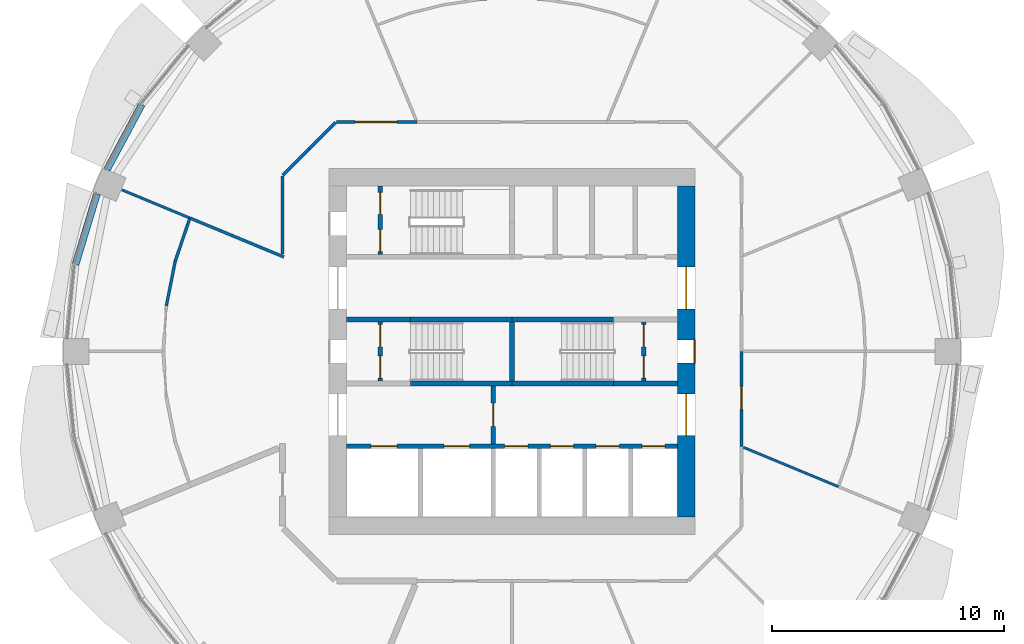
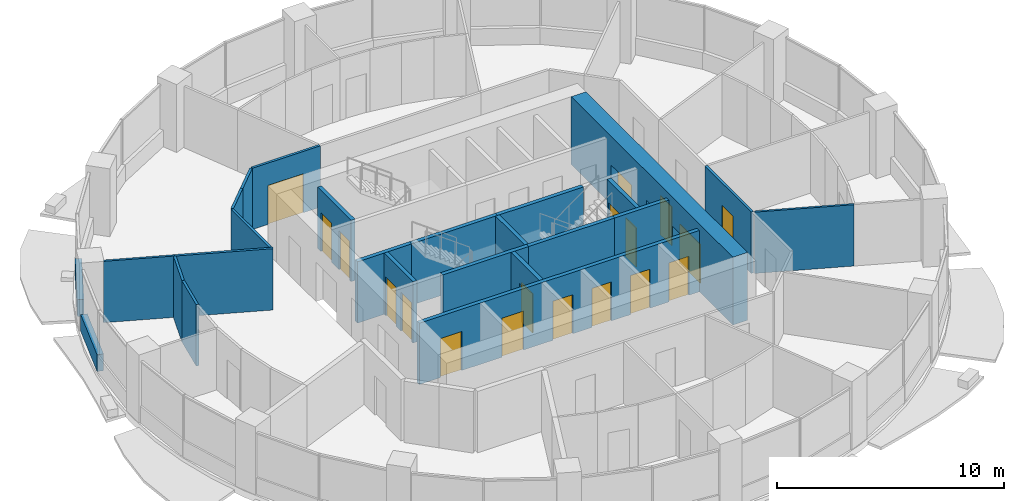
# One storey, part 9 of 15: 25 walls, 18 doors, 18 openings.
"""IFC4 building model written with IfcOpenShell, lengths in metres."""

from ifc_helpers import new_model, si_unit, direction, frame, frame_2d, origin, place, context, subcontext, project, spatial, rectangle, extrude, material, layer, layer_set, type_object, element, fill, save


model = new_model("IFC4")

# Units and contexts
model_context = context("Model", 3, precision=1e-05, world=origin(), true_north=direction((0.0, 1.0)))
body_context = subcontext(model_context, "Body", "Model", "MODEL_VIEW")
ifc_project = project(units=[si_unit("LENGTHUNIT", "METRE"), si_unit("AREAUNIT", "SQUARE_METRE"), si_unit("VOLUMEUNIT", "CUBIC_METRE"), si_unit("PLANEANGLEUNIT", "RADIAN"), si_unit("MASSUNIT", "GRAM", prefix="KILO")], contexts=[model_context])

# Site, building, storey
site_placement = place(None, origin())
site = spatial("IfcSite", under=ifc_project, at=site_placement, CompositionType="ELEMENT")
building_placement = place(site_placement, origin())
building = spatial("IfcBuilding", under=site, at=building_placement, Name="Polderwave Tower", CompositionType="ELEMENT")
storey_placement = place(building_placement, frame((0.0, 0.0, 87.35009765625)))
storey = spatial("IfcBuildingStorey", under=building, at=storey_placement, Name="L22", CompositionType="ELEMENT", Elevation=87.35009765625)

# Wall, openings, doors
ifc_material_1 = material(Name="Concrete C70/85", Category="concrete")
ifc_layer_1 = layer(ifc_material_1, 0.75)
ifc_layer_set_1 = layer_set([ifc_layer_1], Name="CORE WALL 750 C70/85")
wall_type_1 = type_object("IfcWallType", Name="CORE WALL 750 C70/85", PredefinedType="SHEAR", material=ifc_layer_set_1)
wall_1_placement = place(storey_placement, frame((7.4990234375, -7.1240234375, 0.0), z_axis=(0.0, 0.0, 1.0), x_axis=(0.0, 1.0, 0.0)))
wall_1 = element("IfcWall", 1, at=wall_1_placement, inside=storey, type_object=wall_type_1, Name="ST-CORE-L22-E", PredefinedType="SHEAR", context=body_context, shape_type="SweptSolid", body=[
    extrude(rectangle(XDim=14.248046875, YDim=0.75, at=frame_2d((7.1240234375, 0.0))), origin(), (0.0, 0.0, 1.0), 3.64990234375),
])
opening_1_placement = place(wall_1_placement, frame((6.6240234375, 0.0, 0.0)))
opening_1 = element("IfcOpeningElement", 2, at=opening_1_placement, cuts=wall_1, Name="Opening L22-D22", PredefinedType="OPENING", context=body_context, shape_type="SweptSolid", body=[
    extrude(rectangle(XDim=1.0, YDim=2.10009765625, at=frame_2d((0.5, 1.050048828125))), frame((0.0, 0.385009765625, 0.0), z_axis=(0.0, -1.0, 0.0), x_axis=(1.0, 0.0, 0.0)), (0.0, 0.0, 1.0), 0.77001953125),
])
opening_2_placement = place(wall_1_placement, frame((3.49951171875, 0.0, 0.0)))
opening_2 = element("IfcOpeningElement", 3, at=opening_2_placement, cuts=wall_1, Name="Opening L22-D23", PredefinedType="OPENING", context=body_context, shape_type="SweptSolid", body=[
    extrude(rectangle(XDim=1.800048828125, YDim=2.10009765625, at=frame_2d((0.89990234375, 1.050048828125))), frame((0.0, 0.385009765625, 0.0), z_axis=(0.0, -1.0, 0.0), x_axis=(1.0, 0.0, 0.0)), (0.0, 0.0, 1.0), 0.77001953125),
])
opening_3_placement = place(wall_1_placement, frame((8.948486328125, 0.0, 0.0)))
opening_3 = element("IfcOpeningElement", 4, at=opening_3_placement, cuts=wall_1, Name="Opening L22-D24", PredefinedType="OPENING", context=body_context, shape_type="SweptSolid", body=[
    extrude(rectangle(XDim=1.800048828125, YDim=2.10009765625, at=frame_2d((0.89990234375, 1.050048828125))), frame((0.0, 0.385009765625, 0.0), z_axis=(0.0, -1.0, 0.0), x_axis=(1.0, 0.0, 0.0)), (0.0, 0.0, 1.0), 0.77001953125),
])
ifc_material_2 = material(Name="Steel fire door", Category="steel")
door_type_1 = type_object("IfcDoorType", Name="Lobby entry door pair 1800", OperationType="DOUBLE_DOOR_SINGLE_SWING", PredefinedType="DOOR", material=ifc_material_2)
door_1_placement = place(opening_2_placement, frame((1.800048828125, 0.0, 0.0), z_axis=(0.0, 0.0, 1.0), x_axis=(-1.0, 0.0, 0.0)))
door_1 = element("IfcDoor", 5, at=door_1_placement, inside=storey, type_object=door_type_1, Name="South lobby entry door", OperationType="DOUBLE_DOOR_SINGLE_SWING", OverallHeight=2.10009765625, OverallWidth=1.800048828125, PredefinedType="DOOR", context=body_context, shape_type="SweptSolid", body=[
    extrude(rectangle(XDim=1.800048828125, YDim=2.10009765625, at=frame_2d((0.89990234375, 1.050048828125))), frame((0.0, 0.02490234375, 0.0), z_axis=(0.0, -1.0, 0.0), x_axis=(1.0, 0.0, 0.0)), (0.0, 0.0, 1.0), 0.050048828125),
])
fill(opening_2, door_1)
door_2_placement = place(opening_3_placement, frame((1.800048828125, 0.0, 0.0), z_axis=(0.0, 0.0, 1.0), x_axis=(-1.0, 0.0, 0.0)))
door_2 = element("IfcDoor", 6, at=door_2_placement, inside=storey, type_object=door_type_1, Name="North lobby entry door", OperationType="DOUBLE_DOOR_SINGLE_SWING", OverallHeight=2.10009765625, OverallWidth=1.800048828125, PredefinedType="DOOR", context=body_context, shape_type="SweptSolid", body=[
    extrude(rectangle(XDim=1.800048828125, YDim=2.10009765625, at=frame_2d((0.89990234375, 1.050048828125))), frame((0.0, 0.02490234375, 0.0), z_axis=(0.0, -1.0, 0.0), x_axis=(1.0, 0.0, 0.0)), (0.0, 0.0, 1.0), 0.050048828125),
])
fill(opening_3, door_2)
door_type_2 = type_object("IfcDoorType", Name="Stair door 1000", OperationType="NOTDEFINED", PredefinedType="DOOR", material=ifc_material_2)
door_3_placement = place(opening_1_placement, frame((1.0, 0.0, 0.0), z_axis=(0.0, 0.0, 1.0), x_axis=(-1.0, 0.0, 0.0)))
door_3 = element("IfcDoor", 7, at=door_3_placement, inside=storey, type_object=door_type_2, Name="Stair B entry door", OperationType="SINGLE_SWING_LEFT", OverallHeight=2.10009765625, OverallWidth=1.0, PredefinedType="DOOR", context=body_context, shape_type="SweptSolid", body=[
    extrude(rectangle(XDim=1.0, YDim=2.10009765625, at=frame_2d((0.5, 1.050048828125))), frame((0.0, 0.375, 0.0), z_axis=(0.0, -1.0, 0.0), x_axis=(1.0, 0.0, 0.0)), (0.0, 0.0, 1.0), 0.050048828125),
])
fill(opening_1, door_3)

# Walls
ifc_material_3 = material(Name="Concrete C50/60 (board-marked)", Category="concrete")
ifc_layer_2 = layer(ifc_material_3, 0.300048828125)
ifc_layer_set_2 = layer_set([ifc_layer_2], Name="Concrete spandrel upstand C50/60")
wall_type_2 = type_object("IfcWallType", Name="Concrete spandrel upstand C50/60", PredefinedType="SOLIDWALL", material=ifc_layer_set_2)
wall_2_placement = place(storey_placement, frame((-15.92919921875, 10.625732421875, 0.0), z_axis=(0.0, 0.0, 1.0), x_axis=(-0.471458802606, -0.88188808669, 0.0)))
element("IfcWall", 8, at=wall_2_placement, inside=storey, type_object=wall_type_2, Name="Spandrel L22 7b", PredefinedType="SOLIDWALL", context=body_context, shape_type="SweptSolid", body=[
    extrude(rectangle(XDim=3.17236328125, YDim=0.300048828125, at=frame_2d((1.586181640625, 0.0))), origin(), (0.0, 0.0, 1.0), 0.89990234375),
])
wall_3_placement = place(storey_placement, frame((-17.8564453125, 6.78662109375, 0.0), z_axis=(0.0, 0.0, 1.0), x_axis=(-0.290325591482, -0.956927923582, 0.0)))
element("IfcWall", 9, at=wall_3_placement, inside=storey, type_object=wall_type_2, Name="Spandrel L22 8a", PredefinedType="SOLIDWALL", context=body_context, shape_type="SweptSolid", body=[
    extrude(rectangle(XDim=3.1728515625, YDim=0.300048828125, at=frame_2d((1.58642578125, 0.0))), origin(), (0.0, 0.0, 1.0), 0.89990234375),
])

# Wall, opening, door
ifc_material_4 = material(Name="Gypsum board partition")
ifc_layer_3 = layer(ifc_material_4, 0.199951171875)
ifc_layer_set_3 = layer_set([ifc_layer_3], Name="Core room partition 200")
wall_type_3 = type_object("IfcWallType", Name="Core room partition 200", PredefinedType="PARTITIONING", material=ifc_layer_set_3)
wall_4_placement = place(storey_placement, frame((-0.800048828125, -3.97412109375, 0.0), z_axis=(0.0, 0.0, 1.0), x_axis=(0.0, 1.0, 0.0)))
wall_4 = element("IfcWall", 10, at=wall_4_placement, inside=storey, type_object=wall_type_3, Name="L22 fire-fighting lobby wall", PredefinedType="PARTITIONING", context=body_context, shape_type="SweptSolid", body=[
    extrude(rectangle(XDim=2.4990234375, YDim=0.199951171875, at=frame_2d((1.24951171875, 0.0))), origin(), (0.0, 0.0, 1.0), 3.2998046875),
])
opening_4_placement = place(wall_4_placement, frame((0.74951171875, 0.0, 0.0)))
opening_4 = element("IfcOpeningElement", 11, at=opening_4_placement, cuts=wall_4, Name="Opening L22-D13", PredefinedType="OPENING", context=body_context, shape_type="SweptSolid", body=[
    extrude(rectangle(XDim=1.0, YDim=2.10009765625, at=frame_2d((0.5, 1.050048828125))), frame((0.0, 0.10986328125, 0.0), z_axis=(0.0, -1.0, 0.0), x_axis=(1.0, 0.0, 0.0)), (0.0, 0.0, 1.0), 0.219970703125),
])
door_type_3 = type_object("IfcDoorType", Name="Lobby fire door 1000", OperationType="NOTDEFINED", PredefinedType="DOOR", material=ifc_material_2)
door_4_placement = place(opening_4_placement, frame((1.0, 0.0, 0.0), z_axis=(0.0, 0.0, 1.0), x_axis=(-1.0, 0.0, 0.0)))
door_4 = element("IfcDoor", 12, at=door_4_placement, inside=storey, type_object=door_type_3, Name="Fire-fighting lobby door", OperationType="SINGLE_SWING_LEFT", OverallHeight=2.10009765625, OverallWidth=1.0, PredefinedType="DOOR", context=body_context, shape_type="SweptSolid", body=[
    extrude(rectangle(XDim=1.0, YDim=2.10009765625, at=frame_2d((0.5, 1.050048828125))), frame((0.0, 0.02490234375, 0.0), z_axis=(0.0, -1.0, 0.0), x_axis=(1.0, 0.0, 0.0)), (0.0, 0.0, 1.0), 0.050048828125),
])
fill(opening_4, door_4)

# Wall, openings, doors
wall_5_placement = place(storey_placement, frame((-5.674072265625, -1.27490234375, 0.0), z_axis=(0.0, 0.0, 1.0), x_axis=(0.0, 1.0, 0.0)))
wall_5 = element("IfcWall", 13, at=wall_5_placement, inside=storey, type_object=wall_type_3, Name="L22 smoke lobby wall A", PredefinedType="PARTITIONING", context=body_context, shape_type="SweptSolid", body=[
    extrude(rectangle(XDim=2.5498046875, YDim=0.199951171875, at=frame_2d((1.27490234375, 0.0))), origin(), (0.0, 0.0, 1.0), 3.2998046875),
])
opening_5_placement = place(wall_5_placement, frame((0.125, 0.0, 0.0)))
opening_5 = element("IfcOpeningElement", 14, at=opening_5_placement, cuts=wall_5, Name="Opening L22-D07", PredefinedType="OPENING", context=body_context, shape_type="SweptSolid", body=[
    extrude(rectangle(XDim=0.949951171875, YDim=2.10009765625, at=frame_2d((0.47509765625, 1.050048828125))), frame((0.0, 0.10986328125, 0.0), z_axis=(0.0, -1.0, 0.0), x_axis=(1.0, 0.0, 0.0)), (0.0, 0.0, 1.0), 0.219970703125),
])
opening_6_placement = place(wall_5_placement, frame((1.47509765625, 0.0, 0.0)))
opening_6 = element("IfcOpeningElement", 15, at=opening_6_placement, cuts=wall_5, Name="Opening L22-D08", PredefinedType="OPENING", context=body_context, shape_type="SweptSolid", body=[
    extrude(rectangle(XDim=0.949951171875, YDim=2.10009765625, at=frame_2d((0.47509765625, 1.050048828125))), frame((0.0, 0.10986328125, 0.0), z_axis=(0.0, -1.0, 0.0), x_axis=(1.0, 0.0, 0.0)), (0.0, 0.0, 1.0), 0.219970703125),
])
door_type_4 = type_object("IfcDoorType", Name="Smoke lobby door 950", OperationType="NOTDEFINED", PredefinedType="DOOR", material=ifc_material_2)
door_5_placement = place(opening_5_placement, origin())
door_5 = element("IfcDoor", 16, at=door_5_placement, inside=storey, type_object=door_type_4, Name="Stair A smoke lobby inner door", OperationType="SINGLE_SWING_LEFT", OverallHeight=2.10009765625, OverallWidth=0.949951171875, PredefinedType="DOOR", context=body_context, shape_type="SweptSolid", body=[
    extrude(rectangle(XDim=0.949951171875, YDim=2.10009765625, at=frame_2d((0.47509765625, 1.050048828125))), frame((0.0, 0.02490234375, 0.0), z_axis=(0.0, -1.0, 0.0), x_axis=(1.0, 0.0, 0.0)), (0.0, 0.0, 1.0), 0.050048828125),
])
fill(opening_5, door_5)
door_6_placement = place(opening_6_placement, origin())
door_6 = element("IfcDoor", 17, at=door_6_placement, inside=storey, type_object=door_type_4, Name="Stair A smoke lobby inner door", OperationType="SINGLE_SWING_RIGHT", OverallHeight=2.10009765625, OverallWidth=0.949951171875, PredefinedType="DOOR", context=body_context, shape_type="SweptSolid", body=[
    extrude(rectangle(XDim=0.949951171875, YDim=2.10009765625, at=frame_2d((0.47509765625, 1.050048828125))), frame((0.0, 0.02490234375, 0.0), z_axis=(0.0, -1.0, 0.0), x_axis=(1.0, 0.0, 0.0)), (0.0, 0.0, 1.0), 0.050048828125),
])
fill(opening_6, door_6)

wall_6_placement = place(storey_placement, frame((5.674072265625, -1.27490234375, 0.0), z_axis=(0.0, 0.0, 1.0), x_axis=(0.0, 1.0, 0.0)))
wall_6 = element("IfcWall", 18, at=wall_6_placement, inside=storey, type_object=wall_type_3, Name="L22 smoke lobby wall B", PredefinedType="PARTITIONING", context=body_context, shape_type="SweptSolid", body=[
    extrude(rectangle(XDim=2.5498046875, YDim=0.199951171875, at=frame_2d((1.27490234375, 0.0))), origin(), (0.0, 0.0, 1.0), 3.2998046875),
])
opening_7_placement = place(wall_6_placement, frame((0.125, 0.0, 0.0)))
opening_7 = element("IfcOpeningElement", 19, at=opening_7_placement, cuts=wall_6, Name="Opening L22-D09", PredefinedType="OPENING", context=body_context, shape_type="SweptSolid", body=[
    extrude(rectangle(XDim=0.949951171875, YDim=2.10009765625, at=frame_2d((0.47509765625, 1.050048828125))), frame((0.0, 0.10986328125, 0.0), z_axis=(0.0, -1.0, 0.0), x_axis=(1.0, 0.0, 0.0)), (0.0, 0.0, 1.0), 0.219970703125),
])
opening_8_placement = place(wall_6_placement, frame((1.47509765625, 0.0, 0.0)))
opening_8 = element("IfcOpeningElement", 20, at=opening_8_placement, cuts=wall_6, Name="Opening L22-D10", PredefinedType="OPENING", context=body_context, shape_type="SweptSolid", body=[
    extrude(rectangle(XDim=0.949951171875, YDim=2.10009765625, at=frame_2d((0.47509765625, 1.050048828125))), frame((0.0, 0.10986328125, 0.0), z_axis=(0.0, -1.0, 0.0), x_axis=(1.0, 0.0, 0.0)), (0.0, 0.0, 1.0), 0.219970703125),
])
door_7_placement = place(opening_7_placement, frame((0.949951171875, 0.0, 0.0), z_axis=(0.0, 0.0, 1.0), x_axis=(-1.0, 0.0, 0.0)))
door_7 = element("IfcDoor", 21, at=door_7_placement, inside=storey, type_object=door_type_4, Name="Stair B smoke lobby inner door", OperationType="SINGLE_SWING_RIGHT", OverallHeight=2.10009765625, OverallWidth=0.949951171875, PredefinedType="DOOR", context=body_context, shape_type="SweptSolid", body=[
    extrude(rectangle(XDim=0.949951171875, YDim=2.10009765625, at=frame_2d((0.47509765625, 1.050048828125))), frame((0.0, 0.02490234375, 0.0), z_axis=(0.0, -1.0, 0.0), x_axis=(1.0, 0.0, 0.0)), (0.0, 0.0, 1.0), 0.050048828125),
])
fill(opening_7, door_7)
door_8_placement = place(opening_8_placement, frame((0.949951171875, 0.0, 0.0), z_axis=(0.0, 0.0, 1.0), x_axis=(-1.0, 0.0, 0.0)))
door_8 = element("IfcDoor", 22, at=door_8_placement, inside=storey, type_object=door_type_4, Name="Stair B smoke lobby inner door", OperationType="SINGLE_SWING_LEFT", OverallHeight=2.10009765625, OverallWidth=0.949951171875, PredefinedType="DOOR", context=body_context, shape_type="SweptSolid", body=[
    extrude(rectangle(XDim=0.949951171875, YDim=2.10009765625, at=frame_2d((0.47509765625, 1.050048828125))), frame((0.0, 0.02490234375, 0.0), z_axis=(0.0, -1.0, 0.0), x_axis=(1.0, 0.0, 0.0)), (0.0, 0.0, 1.0), 0.050048828125),
])
fill(opening_8, door_8)

wall_7_placement = place(storey_placement, frame((-5.674072265625, 4.174072265625, 0.0), z_axis=(0.0, 0.0, 1.0), x_axis=(0.0, 1.0, 0.0)))
wall_7 = element("IfcWall", 23, at=wall_7_placement, inside=storey, type_object=wall_type_3, Name="L22 smoke lobby wall C", PredefinedType="PARTITIONING", context=body_context, shape_type="SweptSolid", body=[
    extrude(rectangle(XDim=2.949951171875, YDim=0.199951171875, at=frame_2d((1.47509765625, 0.0))), origin(), (0.0, 0.0, 1.0), 3.2998046875),
])
opening_9_placement = place(wall_7_placement, frame((0.125, 0.0, 0.0)))
opening_9 = element("IfcOpeningElement", 24, at=opening_9_placement, cuts=wall_7, Name="Opening L22-D11", PredefinedType="OPENING", context=body_context, shape_type="SweptSolid", body=[
    extrude(rectangle(XDim=0.949951171875, YDim=2.10009765625, at=frame_2d((0.47509765625, 1.050048828125))), frame((0.0, 0.10986328125, 0.0), z_axis=(0.0, -1.0, 0.0), x_axis=(1.0, 0.0, 0.0)), (0.0, 0.0, 1.0), 0.219970703125),
])
opening_10_placement = place(wall_7_placement, frame((1.72509765625, 0.0, 0.0)))
opening_10 = element("IfcOpeningElement", 25, at=opening_10_placement, cuts=wall_7, Name="Opening L22-D12", PredefinedType="OPENING", context=body_context, shape_type="SweptSolid", body=[
    extrude(rectangle(XDim=0.949951171875, YDim=2.10009765625, at=frame_2d((0.47509765625, 1.050048828125))), frame((0.0, 0.10986328125, 0.0), z_axis=(0.0, -1.0, 0.0), x_axis=(1.0, 0.0, 0.0)), (0.0, 0.0, 1.0), 0.219970703125),
])
door_9_placement = place(opening_9_placement, origin())
door_9 = element("IfcDoor", 26, at=door_9_placement, inside=storey, type_object=door_type_4, Name="Stair C smoke lobby inner door", OperationType="SINGLE_SWING_LEFT", OverallHeight=2.10009765625, OverallWidth=0.949951171875, PredefinedType="DOOR", context=body_context, shape_type="SweptSolid", body=[
    extrude(rectangle(XDim=0.949951171875, YDim=2.10009765625, at=frame_2d((0.47509765625, 1.050048828125))), frame((0.0, 0.02490234375, 0.0), z_axis=(0.0, -1.0, 0.0), x_axis=(1.0, 0.0, 0.0)), (0.0, 0.0, 1.0), 0.050048828125),
])
fill(opening_9, door_9)
door_10_placement = place(opening_10_placement, origin())
door_10 = element("IfcDoor", 27, at=door_10_placement, inside=storey, type_object=door_type_4, Name="Stair C smoke lobby inner door", OperationType="SINGLE_SWING_RIGHT", OverallHeight=2.10009765625, OverallWidth=0.949951171875, PredefinedType="DOOR", context=body_context, shape_type="SweptSolid", body=[
    extrude(rectangle(XDim=0.949951171875, YDim=2.10009765625, at=frame_2d((0.47509765625, 1.050048828125))), frame((0.0, 0.02490234375, 0.0), z_axis=(0.0, -1.0, 0.0), x_axis=(1.0, 0.0, 0.0)), (0.0, 0.0, 1.0), 0.050048828125),
])
fill(opening_10, door_10)

ifc_material_5 = material(Name="Concrete C50/60", Category="concrete")
ifc_layer_4 = layer(ifc_material_5, 0.199951171875)
ifc_layer_set_4 = layer_set([ifc_layer_4], Name="Core web wall 200")
wall_type_4 = type_object("IfcWallType", Name="Core web wall 200", PredefinedType="SHEAR", material=ifc_layer_set_4)
wall_8_placement = place(storey_placement, frame((-7.1240234375, -4.073974609375, 0.0), z_axis=(0.0, 0.0, 1.0), x_axis=(1.0, 0.0, 0.0)))
wall_8 = element("IfcWall", 28, at=wall_8_placement, inside=storey, type_object=wall_type_4, Name="L22 south front wall", PredefinedType="SHEAR", context=body_context, shape_type="SweptSolid", body=[
    extrude(rectangle(XDim=14.248046875, YDim=0.199951171875, at=frame_2d((7.1240234375, 0.0))), origin(), (0.0, 0.0, 1.0), 3.2998046875),
])
opening_11_placement = place(wall_8_placement, frame((1.068603515625, 0.0, 0.0)))
opening_11 = element("IfcOpeningElement", 29, at=opening_11_placement, cuts=wall_8, Name="Opening L22-D01", PredefinedType="OPENING", context=body_context, shape_type="SweptSolid", body=[
    extrude(rectangle(XDim=1.10009765625, YDim=2.10009765625, at=frame_2d((0.550048828125, 1.050048828125))), frame((0.0, 0.10986328125, 0.0), z_axis=(0.0, -1.0, 0.0), x_axis=(1.0, 0.0, 0.0)), (0.0, 0.0, 1.0), 0.219970703125),
])
opening_12_placement = place(wall_8_placement, frame((4.20556640625, 0.0, 0.0)))
opening_12 = element("IfcOpeningElement", 30, at=opening_12_placement, cuts=wall_8, Name="Opening L22-D02", PredefinedType="OPENING", context=body_context, shape_type="SweptSolid", body=[
    extrude(rectangle(XDim=1.10009765625, YDim=2.10009765625, at=frame_2d((0.550048828125, 1.050048828125))), frame((0.0, 0.10986328125, 0.0), z_axis=(0.0, -1.0, 0.0), x_axis=(1.0, 0.0, 0.0)), (0.0, 0.0, 1.0), 0.219970703125),
])
opening_13_placement = place(wall_8_placement, frame((6.80810546875, 0.0, 0.0)))
opening_13 = element("IfcOpeningElement", 31, at=opening_13_placement, cuts=wall_8, Name="Opening L22-D03", PredefinedType="OPENING", context=body_context, shape_type="SweptSolid", body=[
    extrude(rectangle(XDim=1.0, YDim=2.10009765625, at=frame_2d((0.5, 1.050048828125))), frame((0.0, 0.10986328125, 0.0), z_axis=(0.0, -1.0, 0.0), x_axis=(1.0, 0.0, 0.0)), (0.0, 0.0, 1.0), 0.219970703125),
])
opening_14_placement = place(wall_8_placement, frame((8.776611328125, 0.0, 0.0)))
opening_14 = element("IfcOpeningElement", 32, at=opening_14_placement, cuts=wall_8, Name="Opening L22-D04", PredefinedType="OPENING", context=body_context, shape_type="SweptSolid", body=[
    extrude(rectangle(XDim=1.0, YDim=2.10009765625, at=frame_2d((0.5, 1.050048828125))), frame((0.0, 0.10986328125, 0.0), z_axis=(0.0, -1.0, 0.0), x_axis=(1.0, 0.0, 0.0)), (0.0, 0.0, 1.0), 0.219970703125),
])
opening_15_placement = place(wall_8_placement, frame((10.7451171875, 0.0, 0.0)))
opening_15 = element("IfcOpeningElement", 33, at=opening_15_placement, cuts=wall_8, Name="Opening L22-D05", PredefinedType="OPENING", context=body_context, shape_type="SweptSolid", body=[
    extrude(rectangle(XDim=1.0, YDim=2.10009765625, at=frame_2d((0.5, 1.050048828125))), frame((0.0, 0.10986328125, 0.0), z_axis=(0.0, -1.0, 0.0), x_axis=(1.0, 0.0, 0.0)), (0.0, 0.0, 1.0), 0.219970703125),
])
opening_16_placement = place(wall_8_placement, frame((12.7138671875, 0.0, 0.0)))
opening_16 = element("IfcOpeningElement", 34, at=opening_16_placement, cuts=wall_8, Name="Opening L22-D06", PredefinedType="OPENING", context=body_context, shape_type="SweptSolid", body=[
    extrude(rectangle(XDim=1.0, YDim=2.10009765625, at=frame_2d((0.5, 1.050048828125))), frame((0.0, 0.10986328125, 0.0), z_axis=(0.0, -1.0, 0.0), x_axis=(1.0, 0.0, 0.0)), (0.0, 0.0, 1.0), 0.219970703125),
])
ifc_material_6 = material(Name="Stainless steel", Category="steel")
door_type_5 = type_object("IfcDoorType", Name="Fire-fighting lift landing door 1100", OperationType="DOUBLE_DOOR_SLIDING", PredefinedType="DOOR", material=ifc_material_6)
door_11_placement = place(opening_11_placement, origin())
door_11 = element("IfcDoor", 35, at=door_11_placement, inside=storey, type_object=door_type_5, Name="Fire-fighting lift FF1 landing door", OperationType="DOUBLE_DOOR_SLIDING", OverallHeight=2.10009765625, OverallWidth=1.10009765625, PredefinedType="DOOR", context=body_context, shape_type="SweptSolid", body=[
    extrude(rectangle(XDim=1.10009765625, YDim=2.10009765625, at=frame_2d((0.550048828125, 1.050048828125))), frame((0.0, 0.02490234375, 0.0), z_axis=(0.0, -1.0, 0.0), x_axis=(1.0, 0.0, 0.0)), (0.0, 0.0, 1.0), 0.050048828125),
])
fill(opening_11, door_11)
door_12_placement = place(opening_12_placement, origin())
door_12 = element("IfcDoor", 36, at=door_12_placement, inside=storey, type_object=door_type_5, Name="Fire-fighting lift FF2 landing door", OperationType="DOUBLE_DOOR_SLIDING", OverallHeight=2.10009765625, OverallWidth=1.10009765625, PredefinedType="DOOR", context=body_context, shape_type="SweptSolid", body=[
    extrude(rectangle(XDim=1.10009765625, YDim=2.10009765625, at=frame_2d((0.550048828125, 1.050048828125))), frame((0.0, 0.02490234375, 0.0), z_axis=(0.0, -1.0, 0.0), x_axis=(1.0, 0.0, 0.0)), (0.0, 0.0, 1.0), 0.050048828125),
])
fill(opening_12, door_12)
door_type_6 = type_object("IfcDoorType", Name="Lift landing door 1000", OperationType="DOUBLE_DOOR_SLIDING", PredefinedType="DOOR", material=ifc_material_6)
door_13_placement = place(opening_13_placement, origin())
door_13 = element("IfcDoor", 37, at=door_13_placement, inside=storey, type_object=door_type_6, Name="Lift LL1 landing door", OperationType="DOUBLE_DOOR_SLIDING", OverallHeight=2.10009765625, OverallWidth=1.0, PredefinedType="DOOR", context=body_context, shape_type="SweptSolid", body=[
    extrude(rectangle(XDim=1.0, YDim=2.10009765625, at=frame_2d((0.5, 1.050048828125))), frame((0.0, 0.02490234375, 0.0), z_axis=(0.0, -1.0, 0.0), x_axis=(1.0, 0.0, 0.0)), (0.0, 0.0, 1.0), 0.050048828125),
])
fill(opening_13, door_13)
door_14_placement = place(opening_14_placement, origin())
door_14 = element("IfcDoor", 38, at=door_14_placement, inside=storey, type_object=door_type_6, Name="Lift LL2 landing door", OperationType="DOUBLE_DOOR_SLIDING", OverallHeight=2.10009765625, OverallWidth=1.0, PredefinedType="DOOR", context=body_context, shape_type="SweptSolid", body=[
    extrude(rectangle(XDim=1.0, YDim=2.10009765625, at=frame_2d((0.5, 1.050048828125))), frame((0.0, 0.02490234375, 0.0), z_axis=(0.0, -1.0, 0.0), x_axis=(1.0, 0.0, 0.0)), (0.0, 0.0, 1.0), 0.050048828125),
])
fill(opening_14, door_14)
door_15_placement = place(opening_15_placement, origin())
door_15 = element("IfcDoor", 39, at=door_15_placement, inside=storey, type_object=door_type_6, Name="Lift LL3 landing door", OperationType="DOUBLE_DOOR_SLIDING", OverallHeight=2.10009765625, OverallWidth=1.0, PredefinedType="DOOR", context=body_context, shape_type="SweptSolid", body=[
    extrude(rectangle(XDim=1.0, YDim=2.10009765625, at=frame_2d((0.5, 1.050048828125))), frame((0.0, 0.02490234375, 0.0), z_axis=(0.0, -1.0, 0.0), x_axis=(1.0, 0.0, 0.0)), (0.0, 0.0, 1.0), 0.050048828125),
])
fill(opening_15, door_15)
door_16_placement = place(opening_16_placement, origin())
door_16 = element("IfcDoor", 40, at=door_16_placement, inside=storey, type_object=door_type_6, Name="Lift LL4 landing door", OperationType="DOUBLE_DOOR_SLIDING", OverallHeight=2.10009765625, OverallWidth=1.0, PredefinedType="DOOR", context=body_context, shape_type="SweptSolid", body=[
    extrude(rectangle(XDim=1.0, YDim=2.10009765625, at=frame_2d((0.5, 1.050048828125))), frame((0.0, 0.02490234375, 0.0), z_axis=(0.0, -1.0, 0.0), x_axis=(1.0, 0.0, 0.0)), (0.0, 0.0, 1.0), 0.050048828125),
])
fill(opening_16, door_16)

# Walls
for number, where, z_axis, x_axis, name in (
    (41, (-4.3740234375, -1.375, 0.0), (0.0, 0.0, 1.0), (1.0, 0.0, 0.0), "L22 south stair wall 2"),
    (42, (0.0, -1.375, 0.0), (0.0, 0.0, 1.0), (1.0, 0.0, 0.0), "L22 south stair wall 3"),
):
    element("IfcWall", number, at=place(storey_placement, frame(where, z_axis=z_axis, x_axis=x_axis)), inside=storey, type_object=wall_type_4, Name=name, PredefinedType="SHEAR", context=body_context, shape_type="SweptSolid", body=[
        extrude(rectangle(XDim=4.3740234375, YDim=0.199951171875, at=frame_2d((2.18701171875, 0.0))), origin(), (0.0, 0.0, 1.0), 3.2998046875),
    ])
for number, where, z_axis, x_axis, name in (
    (43, (4.3740234375, -1.375, 0.0), (0.0, 0.0, 1.0), (1.0, 0.0, 0.0), "L22 south stair wall 4"),
    (44, (-7.1240234375, 1.375, 0.0), (0.0, 0.0, 1.0), (1.0, 0.0, 0.0), "L22 north stair wall 1"),
):
    element("IfcWall", number, at=place(storey_placement, frame(where, z_axis=z_axis, x_axis=x_axis)), inside=storey, type_object=wall_type_4, Name=name, PredefinedType="SHEAR", context=body_context, shape_type="SweptSolid", body=[
        extrude(rectangle(XDim=2.75, YDim=0.199951171875, at=frame_2d((1.375, 0.0))), origin(), (0.0, 0.0, 1.0), 3.2998046875),
    ])
for number, where, z_axis, x_axis, name in (
    (45, (-4.3740234375, 1.375, 0.0), (0.0, 0.0, 1.0), (1.0, 0.0, 0.0), "L22 north stair wall 2"),
    (46, (0.0, 1.375, 0.0), (0.0, 0.0, 1.0), (1.0, 0.0, 0.0), "L22 north stair wall 3"),
):
    element("IfcWall", number, at=place(storey_placement, frame(where, z_axis=z_axis, x_axis=x_axis)), inside=storey, type_object=wall_type_4, Name=name, PredefinedType="SHEAR", context=body_context, shape_type="SweptSolid", body=[
        extrude(rectangle(XDim=4.3740234375, YDim=0.199951171875, at=frame_2d((2.18701171875, 0.0))), origin(), (0.0, 0.0, 1.0), 3.2998046875),
    ])
wall_9_placement = place(storey_placement, frame((0.0, -1.27490234375, 0.0), z_axis=(0.0, 0.0, 1.0), x_axis=(0.0, 1.0, 0.0)))
element("IfcWall", 47, at=wall_9_placement, inside=storey, type_object=wall_type_4, Name="L22 wall between the stairs", PredefinedType="SHEAR", context=body_context, shape_type="SweptSolid", body=[
    extrude(rectangle(XDim=2.5498046875, YDim=0.199951171875, at=frame_2d((1.27490234375, 0.0))), origin(), (0.0, 0.0, 1.0), 3.2998046875),
])

# Wall, opening, door
ifc_material_7 = material(Name="Fire-resisting board on steel studs", Category="steel")
ifc_layer_5 = layer(ifc_material_7, 0.125)
ifc_layer_set_5 = layer_set([ifc_layer_5], Name="Corridor wall 125 mm EI 60")
wall_type_5 = type_object("IfcWallType", Name="Corridor wall 125 mm EI 60", PredefinedType="PARTITIONING", material=ifc_layer_set_5)
wall_10_placement = place(storey_placement, frame((9.8740234375, 0.0, 0.0), z_axis=(0.0, 0.0, 1.0), x_axis=(0.0, -1.0, 0.0)))
wall_10 = element("IfcWall", 48, at=wall_10_placement, inside=storey, type_object=wall_type_5, Name="IN-L22-W006", PredefinedType="PARTITIONING", context=body_context, shape_type="SweptSolid", body=[
    extrude(rectangle(XDim=4.08984375, YDim=0.125, at=frame_2d((2.044921875, 0.0))), origin(), (0.0, 0.0, 1.0), 3.2998046875),
])
opening_17_placement = place(wall_10_placement, frame((1.5, 0.0, 0.0)))
opening_17 = element("IfcOpeningElement", 49, at=opening_17_placement, cuts=wall_10, Name="Opening L22-D53", PredefinedType="OPENING", context=body_context, shape_type="SweptSolid", body=[
    extrude(rectangle(XDim=1.0, YDim=2.10009765625, at=frame_2d((0.5, 1.050048828125))), frame((0.0, 0.072509765625, 0.0), z_axis=(0.0, -1.0, 0.0), x_axis=(1.0, 0.0, 0.0)), (0.0, 0.0, 1.0), 0.14501953125),
])
ifc_material_8 = material(Name="Timber fire door leaf", Category="wood")
door_type_7 = type_object("IfcDoorType", Name="Fire door FD30S 1000 x 2100", OperationType="NOTDEFINED", PredefinedType="DOOR", material=ifc_material_8)
door_17_placement = place(opening_17_placement, origin())
door_17 = element("IfcDoor", 50, at=door_17_placement, inside=storey, type_object=door_type_7, Name="Door L22-D53", OperationType="SINGLE_SWING_LEFT", OverallHeight=2.10009765625, OverallWidth=1.0, PredefinedType="DOOR", context=body_context, shape_type="SweptSolid", body=[
    extrude(rectangle(XDim=1.0, YDim=2.10009765625, at=frame_2d((0.5, 1.050048828125))), frame((0.0, 0.02490234375, 0.0), z_axis=(0.0, -1.0, 0.0), x_axis=(1.0, 0.0, 0.0)), (0.0, 0.0, 1.0), 0.050048828125),
])
fill(opening_17, door_17)

# Wall
wall_11_placement = place(storey_placement, frame((-8.722412109375, 8.722412109375, 0.0), z_axis=(0.0, 0.0, 1.0), x_axis=(0.707030604857, 0.70718294931, 0.0)))
element("IfcWall", 51, at=wall_11_placement, inside=storey, type_object=wall_type_5, Name="IN-L22-W010", PredefinedType="PARTITIONING", context=body_context, shape_type="SweptSolid", body=[
    extrude(rectangle(XDim=1.6025390625, YDim=0.125, at=frame_2d((0.80126953125, 0.0))), origin(), (0.0, 0.0, 1.0), 3.2998046875),
])

# Wall, opening, door
wall_12_placement = place(storey_placement, frame((-7.545166015625, 9.8740234375, 0.0), z_axis=(0.0, 0.0, 1.0), x_axis=(1.0, 0.0, 0.0)))
wall_12 = element("IfcWall", 52, at=wall_12_placement, inside=storey, type_object=wall_type_5, Name="IN-L22-W011", PredefinedType="PARTITIONING", context=body_context, shape_type="SweptSolid", body=[
    extrude(rectangle(XDim=3.455322265625, YDim=0.125, at=frame_2d((1.7275390625, 0.0))), origin(), (0.0, 0.0, 1.0), 3.2998046875),
])
opening_18_placement = place(wall_12_placement, frame((0.800048828125, 0.0, 0.0)))
opening_18 = element("IfcOpeningElement", 53, at=opening_18_placement, cuts=wall_12, Name="Opening L22-D56", PredefinedType="OPENING", context=body_context, shape_type="SweptSolid", body=[
    extrude(rectangle(XDim=1.800048828125, YDim=2.10009765625, at=frame_2d((0.89990234375, 1.050048828125))), frame((0.0, 0.072509765625, 0.0), z_axis=(0.0, -1.0, 0.0), x_axis=(1.0, 0.0, 0.0)), (0.0, 0.0, 1.0), 0.14501953125),
])
ifc_material_9 = material(Name="Timber fire door leaves", Category="wood")
door_type_8 = type_object("IfcDoorType", Name="Double fire door FD30S 1800 x 2100", OperationType="NOTDEFINED", PredefinedType="DOOR", material=ifc_material_9)
door_18_placement = place(opening_18_placement, origin())
door_18 = element("IfcDoor", 54, at=door_18_placement, inside=storey, type_object=door_type_8, Name="Door L22-D56", OperationType="DOUBLE_DOOR_SINGLE_SWING", OverallHeight=2.10009765625, OverallWidth=1.800048828125, PredefinedType="DOOR", context=body_context, shape_type="SweptSolid", body=[
    extrude(rectangle(XDim=1.800048828125, YDim=2.10009765625, at=frame_2d((0.89990234375, 1.050048828125))), frame((0.0, 0.02490234375, 0.0), z_axis=(0.0, -1.0, 0.0), x_axis=(1.0, 0.0, 0.0)), (0.0, 0.0, 1.0), 0.050048828125),
])
fill(opening_18, door_18)

# Walls
wall_13_placement = place(storey_placement, frame((-9.8740234375, 4.183349609375, 0.0), z_axis=(0.0, 0.0, 1.0), x_axis=(0.0, 1.0, 0.0)))
element("IfcWall", 55, at=wall_13_placement, inside=storey, type_object=wall_type_5, Name="IN-L22-W012", PredefinedType="PARTITIONING", context=body_context, shape_type="SweptSolid", body=[
    extrude(rectangle(XDim=3.36181640625, YDim=0.125, at=frame_2d((1.680908203125, 0.0))), origin(), (0.0, 0.0, 1.0), 3.2998046875),
])
wall_14_placement = place(storey_placement, frame((-9.855712890625, 7.58935546875, 0.0), z_axis=(0.0, 0.0, 1.0), x_axis=(0.70718294931, 0.707030604857, 0.0)))
element("IfcWall", 56, at=wall_14_placement, inside=storey, type_object=wall_type_5, Name="IN-L22-W013", PredefinedType="PARTITIONING", context=body_context, shape_type="SweptSolid", body=[
    extrude(rectangle(XDim=1.6025390625, YDim=0.125, at=frame_2d((0.80126953125, 0.0))), origin(), (0.0, 0.0, 1.0), 3.2998046875),
])
wall_15_placement = place(storey_placement, frame((-9.81640625, 4.06591796875, 0.0), z_axis=(0.0, 0.0, 1.0), x_axis=(-0.923865829688, 0.382716512232, 0.0)))
element("IfcWall", 57, at=wall_15_placement, inside=storey, type_object=wall_type_5, Name="IN-L22-W044", PredefinedType="PARTITIONING", context=body_context, shape_type="SweptSolid", body=[
    extrude(rectangle(XDim=4.374755859375, YDim=0.125, at=frame_2d((2.1875, 0.0))), origin(), (0.0, 0.0, 1.0), 3.2998046875),
])
wall_16_placement = place(storey_placement, frame((-14.870849609375, 1.9619140625, 0.0), z_axis=(0.0, 0.0, 1.0), x_axis=(0.195034785279, 0.980796325713, 0.0)))
element("IfcWall", 58, at=wall_16_placement, inside=storey, type_object=wall_type_5, Name="IN-L22-W047", PredefinedType="PARTITIONING", context=body_context, shape_type="SweptSolid", body=[
    extrude(rectangle(XDim=1.9541015625, YDim=0.125, at=frame_2d((0.97705078125, 0.0))), origin(), (0.0, 0.0, 1.0), 3.2998046875),
])
wall_17_placement = place(storey_placement, frame((-14.487548828125, 3.88623046875, 0.0), z_axis=(0.0, 0.0, 1.0), x_axis=(0.321451389675, 0.946926081633, 0.0)))
element("IfcWall", 59, at=wall_17_placement, inside=storey, type_object=wall_type_5, Name="IN-L22-W048", PredefinedType="PARTITIONING", context=body_context, shape_type="SweptSolid", body=[
    extrude(rectangle(XDim=1.89111328125, YDim=0.125, at=frame_2d((0.945556640625, 0.0))), origin(), (0.0, 0.0, 1.0), 3.2998046875),
])
ifc_material_10 = material(Name="Moisture-resistant board on steel studs, tiled", Category="steel")
ifc_layer_6 = layer(ifc_material_10, 0.10498046875)
ifc_layer_set_6 = layer_set([ifc_layer_6], Name="Partition 105 mm wet room board and tile")
wall_type_6 = type_object("IfcWallType", Name="Partition 105 mm wet room board and tile", PredefinedType="PARTITIONING", material=ifc_layer_set_6)
wall_18_placement = place(storey_placement, frame((9.95654296875, -4.1240234375, 0.0), z_axis=(0.0, 0.0, 1.0), x_axis=(0.923862097388, -0.382725521764, 0.0)))
element("IfcWall", 60, at=wall_18_placement, inside=storey, type_object=wall_type_6, Name="IN-L22-W069", PredefinedType="PARTITIONING", context=body_context, shape_type="SweptSolid", body=[
    extrude(rectangle(XDim=4.423095703125, YDim=0.10498046875, at=frame_2d((2.21142578125, 0.0))), origin(), (0.0, 0.0, 1.0), 3.2998046875),
])
ifc_material_11 = material(Name="Acoustic double plasterboard on steel studs", Category="steel")
ifc_layer_7 = layer(ifc_material_11, 0.110107421875)
ifc_layer_set_7 = layer_set([ifc_layer_7], Name="Partition 110 mm acoustic double board")
wall_type_7 = type_object("IfcWallType", Name="Partition 110 mm acoustic double board", PredefinedType="PARTITIONING", material=ifc_layer_set_7)
wall_19_placement = place(storey_placement, frame((-13.858154296875, 5.740234375, 0.0), z_axis=(0.0, 0.0, 1.0), x_axis=(-0.923876970079, 0.382689618566, 0.0)))
element("IfcWall", 61, at=wall_19_placement, inside=storey, type_object=wall_type_7, Name="IN-L22-W045", PredefinedType="PARTITIONING", context=body_context, shape_type="SweptSolid", body=[
    extrude(rectangle(XDim=3.169921875, YDim=0.110107421875, at=frame_2d((1.5849609375, 0.0))), origin(), (0.0, 0.0, 1.0), 3.2998046875),
])

save(model, "model.ifc")
